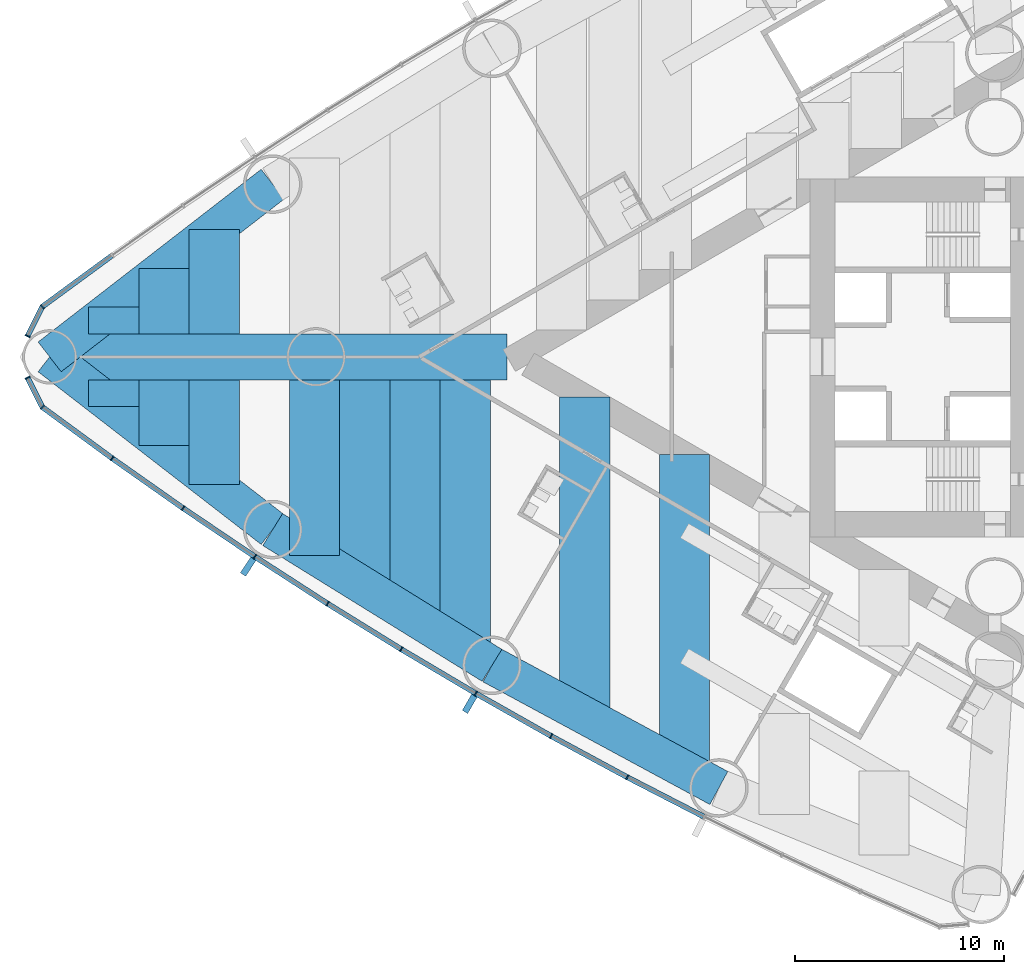
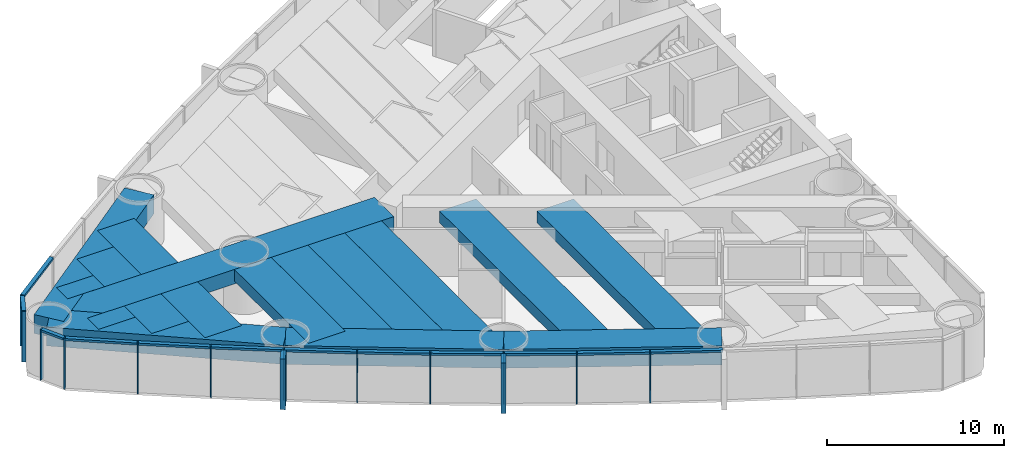
# One storey, part 2 of 18: 26 members, 17 beams, 2 elements without a shape of their own.
"""IFC4 building model written with IfcOpenShell, lengths in metres."""

import ifcopenshell
import ifcopenshell.guid

model = None  # the IFC model being written
_history = None  # IfcOwnerHistory: only IFC2X3 demands one
_inside = {}  # id of a spatial element -> (the spatial element, [elements in it])
_under = {}  # id of a project, library or spatial element -> (it, [spatial elements below it])
_declared = {}  # id of a project -> (the project, [libraries it declares])
_typed = {}  # id of a type object -> (the type object, [elements of that type])
_made_of = {}  # id of a material, layer set ... -> (it, [elements and type objects made of it])


def new_model(schema):
    """Start an empty IFC model of exactly this schema.

    Asked for "IFC4X3", IfcOpenShell would pick the latest addendum, in which some entities
    have other attributes; the version numbers below select the first issue.
    IFC2X3 requires an IfcOwnerHistory on every rooted entity: one is made here for all.
    """
    global model, _history
    if schema == "IFC4X3":
        model = ifcopenshell.file(schema_version=(4, 3, 0, 0))
    else:
        model = ifcopenshell.file(schema=schema)
    _inside.clear()
    _under.clear()
    _declared.clear()
    _typed.clear()
    _made_of.clear()
    _history = None
    if model.schema == "IFC2X3":
        org = make("IfcOrganization", Name="unknown")
        user = make(
            "IfcPersonAndOrganization",
            ThePerson=make("IfcPerson", FamilyName="unknown"),
            TheOrganization=org,
        )
        app = make(
            "IfcApplication",
            ApplicationDeveloper=org,
            Version="unknown",
            ApplicationFullName="unknown",
            ApplicationIdentifier="unknown",
        )
        _history = make(
            "IfcOwnerHistory",
            OwningUser=user,
            OwningApplication=app,
            ChangeAction="ADDED",
            CreationDate=0,
        )
    return model


def make(cls, **values):
    """One entity of the class cls with the attributes given. An attribute that is None is left unset."""
    return model.create_entity(
        cls, **{name: value for name, value in values.items() if value is not None}
    )


def rooted(cls, **values):
    """An entity with a GlobalId (a new one), such as an element, a storey or a relation."""
    return make(cls, GlobalId=ifcopenshell.guid.new(), OwnerHistory=_history, **values)


def si_unit(unit_type, name, prefix=None):
    """IfcSIUnit, for example si_unit("LENGTHUNIT", "METRE", prefix="MILLI")."""
    return make("IfcSIUnit", UnitType=unit_type, Prefix=prefix, Name=name)


def assignment(units):
    """IfcUnitAssignment: the units of a project."""
    return None if units is None else make("IfcUnitAssignment", Units=units)


def point(xyz):
    """IfcCartesianPoint."""
    return None if xyz is None else make("IfcCartesianPoint", Coordinates=xyz)


def direction(xyz):
    """IfcDirection."""
    return None if xyz is None else make("IfcDirection", DirectionRatios=xyz)


def frame(location, z_axis=None, x_axis=None):
    """IfcAxis2Placement3D, a coordinate frame: its origin and axes. An axis left out is left unset."""
    return make(
        "IfcAxis2Placement3D",
        Location=point(location),
        Axis=direction(z_axis),
        RefDirection=direction(x_axis),
    )


def frame_2d(location, x_axis=None):
    """IfcAxis2Placement2D, a coordinate frame in the plane: its origin and x axis."""
    return make(
        "IfcAxis2Placement2D", Location=point(location), RefDirection=direction(x_axis)
    )


def origin():
    """The frame at (0, 0, 0) with its axes left unset."""
    return frame((0.0, 0.0, 0.0))


def origin_2d():
    """The frame at (0, 0) in the plane with its x axis left unset."""
    return frame_2d((0.0, 0.0))


def place(relative_to, where):
    """IfcLocalPlacement: puts the frame where relative to a parent placement (None: the world)."""
    return make(
        "IfcLocalPlacement", PlacementRelTo=relative_to, RelativePlacement=where
    )


def context(
    kind, dimensions, precision=None, world=None, true_north=None, identifier=None
):
    """IfcGeometricRepresentationContext, for example the 3D "Model" context."""
    return make(
        "IfcGeometricRepresentationContext",
        ContextIdentifier=identifier,
        ContextType=kind,
        CoordinateSpaceDimension=dimensions,
        Precision=precision,
        WorldCoordinateSystem=world,
        TrueNorth=true_north,
    )


def subcontext(parent, identifier, kind, view, scale=None):
    """IfcGeometricRepresentationSubContext, for example "Body" below "Model"."""
    return make(
        "IfcGeometricRepresentationSubContext",
        ContextIdentifier=identifier,
        ContextType=kind,
        ParentContext=parent,
        TargetScale=scale,
        TargetView=view,
    )


def project(units=None, contexts=None):
    """IfcProject with its units and contexts."""
    return rooted(
        "IfcProject",
        Name="project",
        RepresentationContexts=contexts,
        UnitsInContext=assignment(units),
    )


def spatial(cls, under=None, at=None, **own):
    """A site, building, storey or space (cls), placed at a placement, below another one or the project."""
    s = rooted(cls, ObjectPlacement=at, **own)
    if under is not None:
        _under.setdefault(under.id(), (under, []))[1].append(s)
    return s


def profile(cls, at=None, kind="AREA", **sizes):
    """A parametric profile (cls). Its sizes go by their IFC names, for example OverallWidth=200.0."""
    return make(cls, ProfileType=kind, Position=at, **sizes)


def rectangle(**sizes):
    """IfcRectangleProfileDef."""
    return profile("IfcRectangleProfileDef", **sizes)


def extrude(swept, where, along, depth):
    """IfcExtrudedAreaSolid: the profile swept, set in the frame where, extruded along a direction by depth."""
    return make(
        "IfcExtrudedAreaSolid",
        SweptArea=swept,
        Position=where,
        ExtrudedDirection=direction(along),
        Depth=depth,
    )


def shape(context_of_items, identifier, shape_type, items):
    """IfcShapeRepresentation: the items that make up one representation, for example the "Body"."""
    return make(
        "IfcShapeRepresentation",
        ContextOfItems=context_of_items,
        RepresentationIdentifier=identifier,
        RepresentationType=shape_type,
        Items=items,
    )


def material(Name=None, Category=None):
    """IfcMaterial."""
    return make("IfcMaterial", Name=Name, Category=Category)


def material_profile(
    of_material, cross_section, Name=None, Category=None, Priority=None
):
    """IfcMaterialProfile: a cross section and its material."""
    return make(
        "IfcMaterialProfile",
        Name=Name,
        Material=of_material,
        Profile=cross_section,
        Priority=Priority,
        Category=Category,
    )


def profile_set(profiles, Name=None, composite=None):
    """IfcMaterialProfileSet."""
    return make(
        "IfcMaterialProfileSet",
        Name=Name,
        MaterialProfiles=profiles,
        CompositeProfile=composite,
    )


def made_of(thing, what):
    """Note that an element or type object is made of a material, layer set ...; save() writes the relation."""
    if what is not None:
        _made_of.setdefault(what.id(), (what, []))[1].append(thing)
    return thing


def type_object(cls, material=None, **own):
    """A type object (cls), such as IfcWallType, which elements share."""
    return made_of(rooted(cls, **own), material)


def element(
    cls,
    number,
    at=None,
    inside=None,
    cuts=None,
    type_object=None,
    material=None,
    context=None,
    identifier="Body",
    shape_type=None,
    held_by="IfcProductDefinitionShape",
    body=None,
    shapes=None,
    **own,
):
    """One element of the class cls, such as IfcWall. Its Tag is "e" and its number.

    at: its placement. inside: the storey or other place that contains it. cuts: it is an
    opening in that element (IfcRelVoidsElement). A single representation is given by context,
    identifier, shape_type and body (its items); several are given by shapes. held_by: the class
    of the entity that holds the representations. save() writes the other relations.
    """
    e = rooted(cls, Tag="e%d" % number, ObjectPlacement=at, **own)
    if body is not None:
        shapes = [shape(context, identifier, shape_type, body)]
    if shapes is not None:
        e.Representation = make(held_by, Representations=shapes)
    if inside is not None:
        _inside.setdefault(inside.id(), (inside, []))[1].append(e)
    if cuts is not None:
        rooted(
            "IfcRelVoidsElement", RelatingBuildingElement=cuts, RelatedOpeningElement=e
        )
    if type_object is not None:
        _typed.setdefault(type_object.id(), (type_object, []))[1].append(e)
    return made_of(e, material)


def aggregate(whole, parts):
    """IfcRelAggregates: a whole, such as a stair, and the parts it consists of."""
    return rooted("IfcRelAggregates", RelatingObject=whole, RelatedObjects=parts)


def save(model, path):
    """Write the relations noted so far, then the file.

    IfcRelAggregates (storeys below a building ...), IfcRelContainedInSpatialStructure (elements
    in a storey), IfcRelDefinesByType, IfcRelAssociatesMaterial and IfcRelDeclares: one each for
    every whole, place, type object, material and project.
    """
    for whole, parts in _under.values():
        aggregate(whole, parts)
    for where, things in _inside.values():
        rooted(
            "IfcRelContainedInSpatialStructure",
            RelatedElements=things,
            RelatingStructure=where,
        )
    for kind, things in _typed.values():
        rooted("IfcRelDefinesByType", RelatedObjects=things, RelatingType=kind)
    for what, things in _made_of.values():
        rooted("IfcRelAssociatesMaterial", RelatedObjects=things, RelatingMaterial=what)
    for by, libraries in _declared.values():
        rooted("IfcRelDeclares", RelatingContext=by, RelatedDefinitions=libraries)
    model.write(path)


model = new_model("IFC4")

# Units and contexts
model_context = context("Model", 3, precision=1e-05, world=origin(), true_north=direction((0.0, 1.0)))
body_context = subcontext(model_context, "Body", "Model", "MODEL_VIEW")
ifc_project = project(units=[si_unit("LENGTHUNIT", "METRE"), si_unit("AREAUNIT", "SQUARE_METRE"), si_unit("VOLUMEUNIT", "CUBIC_METRE"), si_unit("PLANEANGLEUNIT", "RADIAN"), si_unit("MASSUNIT", "GRAM", prefix="KILO")], contexts=[model_context])

# Site, building, storey
site_placement = place(None, origin())
site = spatial("IfcSite", under=ifc_project, at=site_placement, CompositionType="ELEMENT")
building_placement = place(site_placement, origin())
building = spatial("IfcBuilding", under=site, at=building_placement, Name="Lancet Gate Hotel", CompositionType="ELEMENT")
storey_placement = place(building_placement, frame((0.0, 0.0, 56.5)))
storey = spatial("IfcBuildingStorey", under=building, at=storey_placement, Name="L14", CompositionType="ELEMENT", Elevation=56.5)

# Curtain wall, members
ifc_material_1 = material(Name="Aluminium curtain wall", Category="aluminium")
curtain_wall_type = type_object("IfcCurtainWallType", Name="Tower unitised curtain wall", PredefinedType="USERDEFINED", material=ifc_material_1)
curtain_wall_1_placement = place(storey_placement, origin())
curtain_wall_1 = element("IfcCurtainWall", 1, at=curtain_wall_1_placement, inside=storey, type_object=curtain_wall_type, Name="T1 L14 curtain wall 2", ObjectType="UNITISED CURTAIN WALL", PredefinedType="USERDEFINED")
ifc_material_2 = material(Name="Aluminium mullion", Category="aluminium")
ifc_material_profile_1 = material_profile(ifc_material_2, rectangle(XDim=0.06494140625, YDim=0.25, at=origin_2d()), Name="MULLION 65x250")
ifc_profile_set_1 = profile_set([ifc_material_profile_1], Name="Aluminium mullion")
member_type_1 = type_object("IfcMemberType", Name="Aluminium mullion 65x250", PredefinedType="MULLION", material=ifc_profile_set_1)
member_1_placement = place(storey_placement, frame((-74.5830078125, 2.401611328125, 0.0), z_axis=(0.0, 0.0, 1.0), x_axis=(-0.723695580132, -0.690119342793, 0.0)))
member_1 = element("IfcMember", 2, at=member_1_placement, type_object=member_type_1, Name="T1 L14 curtain wall 2 mullion 14", PredefinedType="MULLION", context=body_context, shape_type="SweptSolid", body=[
    extrude(rectangle(XDim=0.06494140625, YDim=0.25, at=origin_2d()), origin(), (0.0, 0.0, 1.0), 3.5),
])
member_2_placement = place(storey_placement, frame((-75.287109375, 0.994873046875, 0.0), z_axis=(0.0, 0.0, 1.0), x_axis=(-0.447628324726, -0.89421970617, 0.0)))
member_2 = element("IfcMember", 3, at=member_2_placement, type_object=member_type_1, Name="T1 L14 curtain wall 2 mullion 15", PredefinedType="MULLION", context=body_context, shape_type="SweptSolid", body=[
    extrude(rectangle(XDim=0.06494140625, YDim=0.25, at=origin_2d()), origin(), (0.0, 0.0, 1.0), 3.5),
])

curtain_wall_2_placement = place(storey_placement, origin())
curtain_wall_2 = element("IfcCurtainWall", 4, at=curtain_wall_2_placement, inside=storey, type_object=curtain_wall_type, Name="T1 L14 curtain wall 3", ObjectType="UNITISED CURTAIN WALL", PredefinedType="USERDEFINED")
member_3_placement = place(storey_placement, frame((-75.287109375, -0.994873046875, 0.0), z_axis=(0.0, 0.0, 1.0), x_axis=(0.447628324726, -0.89421970617, 0.0)))
member_3 = element("IfcMember", 5, at=member_3_placement, type_object=member_type_1, Name="T1 L14 curtain wall 3 mullion 1", PredefinedType="MULLION", context=body_context, shape_type="SweptSolid", body=[
    extrude(rectangle(XDim=0.06494140625, YDim=0.25, at=origin_2d()), origin(), (0.0, 0.0, 1.0), 3.5),
])
member_4_placement = place(storey_placement, frame((-74.5830078125, -2.401611328125, 0.0), z_axis=(0.0, 0.0, 1.0), x_axis=(0.723695580132, -0.690119342793, 0.0)))
member_4 = element("IfcMember", 6, at=member_4_placement, type_object=member_type_1, Name="T1 L14 curtain wall 3 mullion 2", PredefinedType="MULLION", context=body_context, shape_type="SweptSolid", body=[
    extrude(rectangle(XDim=0.06494140625, YDim=0.25, at=origin_2d()), origin(), (0.0, 0.0, 1.0), 3.5),
])
member_5_placement = place(storey_placement, frame((-71.244384765625, -4.85009765625, 0.0), z_axis=(0.0, 0.0, 1.0), x_axis=(0.812146623168, -0.583453393578, 0.0)))
member_5 = element("IfcMember", 7, at=member_5_placement, type_object=member_type_1, Name="T1 L14 curtain wall 3 mullion 3", PredefinedType="MULLION", context=body_context, shape_type="SweptSolid", body=[
    extrude(rectangle(XDim=0.06494140625, YDim=0.25, at=origin_2d()), origin(), (0.0, 0.0, 1.0), 3.5),
])
member_6_placement = place(storey_placement, frame((-67.858154296875, -7.232666015625, 0.0), z_axis=(0.0, 0.0, 1.0), x_axis=(0.823425148573, -0.56742490666, 0.0)))
member_6 = element("IfcMember", 8, at=member_6_placement, type_object=member_type_1, Name="T1 L14 curtain wall 3 mullion 4", PredefinedType="MULLION", context=body_context, shape_type="SweptSolid", body=[
    extrude(rectangle(XDim=0.06494140625, YDim=0.25, at=origin_2d()), origin(), (0.0, 0.0, 1.0), 3.5),
])
member_7_placement = place(storey_placement, frame((-64.42626953125, -9.548583984375, 0.0), z_axis=(0.0, 0.0, 1.0), x_axis=(0.834387381945, -0.55117846189, 0.0)))
member_7 = element("IfcMember", 9, at=member_7_placement, type_object=member_type_1, Name="T1 L14 curtain wall 3 mullion 5", PredefinedType="MULLION", context=body_context, shape_type="SweptSolid", body=[
    extrude(rectangle(XDim=0.06494140625, YDim=0.25, at=origin_2d()), origin(), (0.0, 0.0, 1.0), 3.5),
])
member_8_placement = place(storey_placement, frame((-60.949462890625, -11.796630859375, 0.0), z_axis=(0.0, 0.0, 1.0), x_axis=(0.845029112489, -0.534720299827, 0.0)))
member_8 = element("IfcMember", 10, at=member_8_placement, type_object=member_type_1, Name="T1 L14 curtain wall 3 mullion 6", PredefinedType="MULLION", context=body_context, shape_type="SweptSolid", body=[
    extrude(rectangle(XDim=0.06494140625, YDim=0.25, at=origin_2d()), origin(), (0.0, 0.0, 1.0), 3.5),
])
member_9_placement = place(storey_placement, frame((-57.42919921875, -13.97607421875, 0.0), z_axis=(0.0, 0.0, 1.0), x_axis=(0.855346252548, -0.518056742309, 0.0)))
member_9 = element("IfcMember", 11, at=member_9_placement, type_object=member_type_1, Name="T1 L14 curtain wall 3 mullion 7", PredefinedType="MULLION", context=body_context, shape_type="SweptSolid", body=[
    extrude(rectangle(XDim=0.06494140625, YDim=0.25, at=origin_2d()), origin(), (0.0, 0.0, 1.0), 3.5),
])
member_10_placement = place(storey_placement, frame((-53.866943359375, -16.086181640625, 0.0), z_axis=(0.0, 0.0, 1.0), x_axis=(0.86533483912, -0.501194190115, 0.0)))
member_10 = element("IfcMember", 12, at=member_10_placement, type_object=member_type_1, Name="T1 L14 curtain wall 3 mullion 8", PredefinedType="MULLION", context=body_context, shape_type="SweptSolid", body=[
    extrude(rectangle(XDim=0.06494140625, YDim=0.25, at=origin_2d()), origin(), (0.0, 0.0, 1.0), 3.5),
])
member_11_placement = place(storey_placement, frame((-50.26416015625, -18.1259765625, 0.0), z_axis=(0.0, 0.0, 1.0), x_axis=(0.874991035403, -0.484139120464, 0.0)))
member_11 = element("IfcMember", 13, at=member_11_placement, type_object=member_type_1, Name="T1 L14 curtain wall 3 mullion 9", PredefinedType="MULLION", context=body_context, shape_type="SweptSolid", body=[
    extrude(rectangle(XDim=0.06494140625, YDim=0.25, at=origin_2d()), origin(), (0.0, 0.0, 1.0), 3.5),
])
member_12_placement = place(storey_placement, frame((-46.6220703125, -20.094970703125, 0.0), z_axis=(0.0, 0.0, 1.0), x_axis=(0.884311132302, -0.466898084475, 0.0)))
member_12 = element("IfcMember", 14, at=member_12_placement, type_object=member_type_1, Name="T1 L14 curtain wall 3 mullion 10", PredefinedType="MULLION", context=body_context, shape_type="SweptSolid", body=[
    extrude(rectangle(XDim=0.06494140625, YDim=0.25, at=origin_2d()), origin(), (0.0, 0.0, 1.0), 3.5),
])

# Member
ifc_material_3 = material(Name="Aluminium transom", Category="aluminium")
ifc_material_profile_2 = material_profile(ifc_material_3, rectangle(XDim=0.25, YDim=0.14990234375, at=origin_2d()), Name="TRANSOM 250x150")
ifc_profile_set_2 = profile_set([ifc_material_profile_2], Name="Aluminium transom")
member_type_2 = type_object("IfcMemberType", Name="Aluminium transom 250x150", PredefinedType="USERDEFINED", material=ifc_profile_set_2)
member_13_placement = place(storey_placement, frame((-71.2705078125, 4.8310546875, 3.425048828125), z_axis=(-0.806366902144, -0.59141560609, 0.0), x_axis=(0.59141560609, -0.806366902144, 0.0)))
member_13 = element("IfcMember", 15, at=member_13_placement, type_object=member_type_2, Name="T1 L14 curtain wall 2 transom 13", ObjectType="TRANSOM", PredefinedType="USERDEFINED", context=body_context, shape_type="SweptSolid", body=[
    extrude(rectangle(XDim=0.25, YDim=0.14990234375, at=origin_2d()), origin(), (0.0, 0.0, 1.0), 4.0751953125),
])

member_14_placement = place(storey_placement, frame((-74.597412109375, 2.37255859375, 3.425048828125), z_axis=(-0.447731503446, -0.894168049542, 0.0), x_axis=(0.894168049542, -0.447731503446, 0.0)))
member_14 = element("IfcMember", 16, at=member_14_placement, type_object=member_type_2, Name="T1 L14 curtain wall 2 transom 14", ObjectType="TRANSOM", PredefinedType="USERDEFINED", context=body_context, shape_type="SweptSolid", body=[
    extrude(rectangle(XDim=0.25, YDim=0.14990234375, at=origin_2d()), origin(), (0.0, 0.0, 1.0), 1.50830078125),
])

aggregate(curtain_wall_1, [member_1, member_2, member_13, member_14])

member_15_placement = place(storey_placement, frame((-75.272705078125, -1.02392578125, 3.425048828125), z_axis=(0.447731503446, -0.894168049542, 0.0), x_axis=(0.894168049542, 0.447731503446, 0.0)))
member_15 = element("IfcMember", 17, at=member_15_placement, type_object=member_type_2, Name="T1 L14 curtain wall 3 transom 1", ObjectType="TRANSOM", PredefinedType="USERDEFINED", context=body_context, shape_type="SweptSolid", body=[
    extrude(rectangle(XDim=0.25, YDim=0.14990234375, at=origin_2d()), origin(), (0.0, 0.0, 1.0), 1.50830078125),
])

member_16_placement = place(storey_placement, frame((-74.556640625, -2.4208984375, 3.425048828125), z_axis=(0.806366902144, -0.59141560609, 0.0), x_axis=(0.59141560609, 0.806366902144, 0.0)))
member_16 = element("IfcMember", 18, at=member_16_placement, type_object=member_type_2, Name="T1 L14 curtain wall 3 transom 2", ObjectType="TRANSOM", PredefinedType="USERDEFINED", context=body_context, shape_type="SweptSolid", body=[
    extrude(rectangle(XDim=0.25, YDim=0.14990234375, at=origin_2d()), origin(), (0.0, 0.0, 1.0), 4.0751953125),
])

member_17_placement = place(storey_placement, frame((-71.2177734375, -4.868896484375, 3.425048828125), z_axis=(0.817833568345, -0.57545482402, 0.0), x_axis=(0.57545482402, 0.817833568345, 0.0)))
member_17 = element("IfcMember", 19, at=member_17_placement, type_object=member_type_2, Name="T1 L14 curtain wall 3 transom 3", ObjectType="TRANSOM", PredefinedType="USERDEFINED", context=body_context, shape_type="SweptSolid", body=[
    extrude(rectangle(XDim=0.25, YDim=0.14990234375, at=origin_2d()), origin(), (0.0, 0.0, 1.0), 4.075439453125),
])

member_18_placement = place(storey_placement, frame((-67.831298828125, -7.2509765625, 3.425048828125), z_axis=(0.828959086782, -0.559309245804, 0.0), x_axis=(0.559309245804, 0.828959086782, 0.0)))
member_18 = element("IfcMember", 20, at=member_18_placement, type_object=member_type_2, Name="T1 L14 curtain wall 3 transom 4", ObjectType="TRANSOM", PredefinedType="USERDEFINED", context=body_context, shape_type="SweptSolid", body=[
    extrude(rectangle(XDim=0.25, YDim=0.14990234375, at=origin_2d()), origin(), (0.0, 0.0, 1.0), 4.0751953125),
])

member_19_placement = place(storey_placement, frame((-64.39892578125, -9.566162109375, 3.425048828125), z_axis=(0.839729242404, -0.543005340169, 0.0), x_axis=(0.543005340169, 0.839729242404, 0.0)))
member_19 = element("IfcMember", 21, at=member_19_placement, type_object=member_type_2, Name="T1 L14 curtain wall 3 transom 5", ObjectType="TRANSOM", PredefinedType="USERDEFINED", context=body_context, shape_type="SweptSolid", body=[
    extrude(rectangle(XDim=0.25, YDim=0.14990234375, at=origin_2d()), origin(), (0.0, 0.0, 1.0), 4.0751953125),
])

member_20_placement = place(storey_placement, frame((-60.921875, -11.813720703125, 3.425048828125), z_axis=(0.850242165643, -0.526391736032, 0.0), x_axis=(0.526391736032, 0.850242165643, 0.0)))
member_20 = element("IfcMember", 22, at=member_20_placement, type_object=member_type_2, Name="T1 L14 curtain wall 3 transom 6", ObjectType="TRANSOM", PredefinedType="USERDEFINED", context=body_context, shape_type="SweptSolid", body=[
    extrude(rectangle(XDim=0.25, YDim=0.14990234375, at=origin_2d()), origin(), (0.0, 0.0, 1.0), 4.075439453125),
])

member_21_placement = place(storey_placement, frame((-57.4013671875, -13.99267578125, 3.425048828125), z_axis=(0.86039174806, -0.509633240547, 0.0), x_axis=(0.509633240547, 0.86039174806, 0.0)))
member_21 = element("IfcMember", 23, at=member_21_placement, type_object=member_type_2, Name="T1 L14 curtain wall 3 transom 7", ObjectType="TRANSOM", PredefinedType="USERDEFINED", context=body_context, shape_type="SweptSolid", body=[
    extrude(rectangle(XDim=0.25, YDim=0.14990234375, at=origin_2d()), origin(), (0.0, 0.0, 1.0), 4.0751953125),
])

member_22_placement = place(storey_placement, frame((-53.838623046875, -16.102294921875, 3.425048828125), z_axis=(0.870197729943, -0.492702659625, 0.0), x_axis=(0.492702659625, 0.870197729943, 0.0)))
member_22 = element("IfcMember", 24, at=member_22_placement, type_object=member_type_2, Name="T1 L14 curtain wall 3 transom 8", ObjectType="TRANSOM", PredefinedType="USERDEFINED", context=body_context, shape_type="SweptSolid", body=[
    extrude(rectangle(XDim=0.25, YDim=0.14990234375, at=origin_2d()), origin(), (0.0, 0.0, 1.0), 4.0751953125),
])

member_23_placement = place(storey_placement, frame((-50.235595703125, -18.1416015625, 3.425048828125), z_axis=(0.87971396408, -0.475503250675, 0.0), x_axis=(0.475503250675, 0.87971396408, 0.0)))
member_23 = element("IfcMember", 25, at=member_23_placement, type_object=member_type_2, Name="T1 L14 curtain wall 3 transom 9", ObjectType="TRANSOM", PredefinedType="USERDEFINED", context=body_context, shape_type="SweptSolid", body=[
    extrude(rectangle(XDim=0.25, YDim=0.14990234375, at=origin_2d()), origin(), (0.0, 0.0, 1.0), 4.0751953125),
])

member_24_placement = place(storey_placement, frame((-46.593017578125, -20.10986328125, 3.425048828125), z_axis=(0.888859972399, -0.458178949175, 0.0), x_axis=(0.458178949175, 0.888859972399, 0.0)))
member_24 = element("IfcMember", 26, at=member_24_placement, type_object=member_type_2, Name="T1 L14 curtain wall 3 transom 10", ObjectType="TRANSOM", PredefinedType="USERDEFINED", context=body_context, shape_type="SweptSolid", body=[
    extrude(rectangle(XDim=0.25, YDim=0.14990234375, at=origin_2d()), origin(), (0.0, 0.0, 1.0), 4.0751953125),
])

# Beams
ifc_material_4 = material(Name="Concrete C50/60", Category="concrete")
ifc_material_profile_3 = material_profile(ifc_material_4, rectangle(XDim=1.800048828125, YDim=1.300048828125, at=origin_2d()), Name="RC 1800x1300")
ifc_profile_set_3 = profile_set([ifc_material_profile_3], Name="Concrete C50/60")
beam_type_1 = type_object("IfcBeamType", Name="Edge beam RC 1800x1300", PredefinedType="SPANDREL", material=ifc_profile_set_3)
for number, where, z_axis, x_axis, name in (
    (27, (-63.57177734375, 8.255126953125, 2.60009765625), (-0.790736428665, -0.612156761281, 0.0), (0.612156761281, -0.790736428665, 0.0), "T1 edge beam EB1 L14"),
    (28, (-74.235107421875, 0.0, 2.60009765625), (0.790736428665, -0.612156761281, 0.0), (0.612156761281, 0.790736428665, 0.0), "T1 edge beam EB1 L14"),
):
    element("IfcBeam", number, at=place(storey_placement, frame(where, z_axis=z_axis, x_axis=x_axis)), inside=storey, type_object=beam_type_1, Name=name, PredefinedType="SPANDREL", context=body_context, shape_type="SweptSolid", body=[
        extrude(rectangle(XDim=1.800048828125, YDim=1.300048828125, at=origin_2d()), origin(), (0.0, 0.0, 1.0), 13.4853515625),
    ])
for number, where, z_axis, x_axis, name in (
    (29, (-63.57177734375, -8.255126953125, 2.60009765625), (0.850225894333, -0.526418016984, 0.0), (0.526418016984, 0.850225894333, 0.0), "T1 edge beam EB1 L14"),
    (30, (-53.090087890625, -14.744873046875, 2.60009765625), (0.879692855603, -0.475542300749, 0.0), (0.475542300749, 0.879692855603, 0.0), "T1 edge beam EB1 L14"),
):
    element("IfcBeam", number, at=place(storey_placement, frame(where, z_axis=z_axis, x_axis=x_axis)), inside=storey, type_object=beam_type_1, Name=name, PredefinedType="SPANDREL", context=body_context, shape_type="SweptSolid", body=[
        extrude(rectangle(XDim=1.800048828125, YDim=1.300048828125, at=origin_2d()), origin(), (0.0, 0.0, 1.0), 12.328125),
    ])

# Member
ifc_material_5 = material(Name="Precast concrete C50/60", Category="concrete")
ifc_material_profile_4 = material_profile(ifc_material_5, rectangle(XDim=0.300048828125, YDim=0.89990234375, at=origin_2d()), Name="FIN 300x900")
ifc_profile_set_4 = profile_set([ifc_material_profile_4], Name="Precast concrete C50/60")
member_type_3 = type_object("IfcMemberType", Name="Exposed concrete fin 300x900", PredefinedType="USERDEFINED", material=ifc_profile_set_4)
member_25_placement = place(storey_placement, frame((-64.7431640625, -10.0283203125, 0.0), z_axis=(0.0, 0.0, 1.0), x_axis=(0.834387381945, -0.55117846189, 0.0)))
member_25 = element("IfcMember", 31, at=member_25_placement, type_object=member_type_3, Name="T1 L14 curtain wall 3 fin 5", ObjectType="FIN", PredefinedType="USERDEFINED", context=body_context, shape_type="SweptSolid", body=[
    extrude(rectangle(XDim=0.300048828125, YDim=0.89990234375, at=origin_2d()), origin(), (0.0, 0.0, 1.0), 3.5),
])

member_26_placement = place(storey_placement, frame((-54.1552734375, -16.583740234375, 0.0), z_axis=(0.0, 0.0, 1.0), x_axis=(0.86533483912, -0.501194190115, 0.0)))
member_26 = element("IfcMember", 32, at=member_26_placement, type_object=member_type_3, Name="T1 L14 curtain wall 3 fin 8", ObjectType="FIN", PredefinedType="USERDEFINED", context=body_context, shape_type="SweptSolid", body=[
    extrude(rectangle(XDim=0.300048828125, YDim=0.89990234375, at=origin_2d()), origin(), (0.0, 0.0, 1.0), 3.5),
])

aggregate(curtain_wall_2, [member_3, member_4, member_5, member_6, member_7, member_25, member_8, member_9, member_10, member_26, member_11, member_12, member_15, member_16, member_17, member_18, member_19, member_20, member_21, member_22, member_23, member_24])

# Beams
ifc_material_6 = material(Name="Concrete C50/60", Category="concrete")
ifc_material_profile_5 = material_profile(ifc_material_6, rectangle(XDim=2.39990234375, YDim=0.800048828125, at=origin_2d()), Name="RC 2400x800")
ifc_profile_set_5 = profile_set([ifc_material_profile_5], Name="Concrete C50/60")
beam_type_2 = type_object("IfcBeamType", Name="Floor beam RC 2400x800", PredefinedType="BEAM", material=ifc_profile_set_5)
beam_1_placement = place(storey_placement, frame((-43.891357421875, -4.663330078125, 2.85009765625), z_axis=(0.0, -1.0, 0.0), x_axis=(1.0, 0.0, 0.0)))
element("IfcBeam", 33, at=beam_1_placement, inside=storey, type_object=beam_type_2, Name="T1 floor beam F08N L14", PredefinedType="BEAM", context=body_context, shape_type="SweptSolid", body=[
    extrude(rectangle(XDim=2.39990234375, YDim=0.800048828125, at=origin_2d()), origin(), (0.0, 0.0, 1.0), 15.05419921875),
])
beam_2_placement = place(storey_placement, frame((-48.66015625, -1.909912109375, 2.85009765625), z_axis=(0.0, -1.0, 0.0), x_axis=(1.0, 0.0, 0.0)))
element("IfcBeam", 34, at=beam_2_placement, inside=storey, type_object=beam_type_2, Name="T1 floor beam F11N L14", PredefinedType="BEAM", context=body_context, shape_type="SweptSolid", body=[
    extrude(rectangle(XDim=2.39990234375, YDim=0.800048828125, at=origin_2d()), origin(), (0.0, 0.0, 1.0), 15.229736328125),
])
beam_3_placement = place(storey_placement, frame((-54.3681640625, -1.10009765625, 2.85009765625), z_axis=(0.0, -1.0, 0.0), x_axis=(1.0, 0.0, 0.0)))
element("IfcBeam", 35, at=beam_3_placement, inside=storey, type_object=beam_type_2, Name="T1 floor beam F14N L14", PredefinedType="BEAM", context=body_context, shape_type="SweptSolid", body=[
    extrude(rectangle(XDim=2.39990234375, YDim=0.800048828125, at=origin_2d()), origin(), (0.0, 0.0, 1.0), 12.853515625),
])
beam_4_placement = place(storey_placement, frame((-56.768310546875, -1.10009765625, 2.85009765625), z_axis=(0.0, -1.0, 0.0), x_axis=(1.0, 0.0, 0.0)))
element("IfcBeam", 36, at=beam_4_placement, inside=storey, type_object=beam_type_2, Name="T1 floor beam F16N L14", PredefinedType="BEAM", context=body_context, shape_type="SweptSolid", body=[
    extrude(rectangle(XDim=2.39990234375, YDim=0.800048828125, at=origin_2d()), origin(), (0.0, 0.0, 1.0), 11.367431640625),
])
beam_5_placement = place(storey_placement, frame((-59.168212890625, -1.10009765625, 2.85009765625), z_axis=(0.0, -1.0, 0.0), x_axis=(1.0, 0.0, 0.0)))
element("IfcBeam", 37, at=beam_5_placement, inside=storey, type_object=beam_type_2, Name="T1 floor beam F18N L14", PredefinedType="BEAM", context=body_context, shape_type="SweptSolid", body=[
    extrude(rectangle(XDim=2.39990234375, YDim=0.800048828125, at=origin_2d()), origin(), (0.0, 0.0, 1.0), 9.881591796875),
])
beam_6_placement = place(storey_placement, frame((-61.568359375, -1.10009765625, 2.85009765625), z_axis=(0.0, -1.0, 0.0), x_axis=(1.0, 0.0, 0.0)))
element("IfcBeam", 38, at=beam_6_placement, inside=storey, type_object=beam_type_2, Name="T1 floor beam F20N L14", PredefinedType="BEAM", context=body_context, shape_type="SweptSolid", body=[
    extrude(rectangle(XDim=2.39990234375, YDim=0.800048828125, at=origin_2d()), origin(), (0.0, 0.0, 1.0), 8.395751953125),
])
for number, where, z_axis, x_axis, name in (
    (39, (-66.3681640625, 6.09033203125, 2.85009765625), (0.0, -1.0, 0.0), (1.0, 0.0, 0.0), "T1 floor beam F21S L14"),
    (40, (-66.3681640625, -1.10009765625, 2.85009765625), (0.0, -1.0, 0.0), (1.0, 0.0, 0.0), "T1 floor beam F22N L14"),
):
    element("IfcBeam", number, at=place(storey_placement, frame(where, z_axis=z_axis, x_axis=x_axis)), inside=storey, type_object=beam_type_2, Name=name, PredefinedType="BEAM", context=body_context, shape_type="SweptSolid", body=[
        extrude(rectangle(XDim=2.39990234375, YDim=0.800048828125, at=origin_2d()), origin(), (0.0, 0.0, 1.0), 4.990234375),
    ])
for number, where, z_axis, x_axis, name in (
    (41, (-68.768310546875, 4.232421875, 2.85009765625), (0.0, -1.0, 0.0), (1.0, 0.0, 0.0), "T1 floor beam F23S L14"),
    (42, (-68.768310546875, -1.10009765625, 2.85009765625), (0.0, -1.0, 0.0), (1.0, 0.0, 0.0), "T1 floor beam F24N L14"),
):
    element("IfcBeam", number, at=place(storey_placement, frame(where, z_axis=z_axis, x_axis=x_axis)), inside=storey, type_object=beam_type_2, Name=name, PredefinedType="BEAM", context=body_context, shape_type="SweptSolid", body=[
        extrude(rectangle(XDim=2.39990234375, YDim=0.800048828125, at=origin_2d()), origin(), (0.0, 0.0, 1.0), 3.13232421875),
    ])
for number, where, z_axis, x_axis, name in (
    (43, (-71.168212890625, 2.374267578125, 2.85009765625), (0.0, -1.0, 0.0), (1.0, 0.0, 0.0), "T1 floor beam F25S L14"),
    (44, (-71.168212890625, -1.10009765625, 2.85009765625), (0.0, -1.0, 0.0), (1.0, 0.0, 0.0), "T1 floor beam F26N L14"),
):
    element("IfcBeam", number, at=place(storey_placement, frame(where, z_axis=z_axis, x_axis=x_axis)), inside=storey, type_object=beam_type_2, Name=name, PredefinedType="BEAM", context=body_context, shape_type="SweptSolid", body=[
        extrude(rectangle(XDim=2.39990234375, YDim=0.800048828125, at=origin_2d()), origin(), (0.0, 0.0, 1.0), 1.274169921875),
    ])
ifc_material_7 = material(Name="Concrete C50/60", Category="concrete")
ifc_material_profile_6 = material_profile(ifc_material_7, rectangle(XDim=2.199951171875, YDim=1.0, at=origin_2d()), Name="RC 2200x1000")
ifc_profile_set_6 = profile_set([ifc_material_profile_6], Name="Concrete C50/60")
beam_type_3 = type_object("IfcBeamType", Name="Radial floor beam RC 2200x1000", PredefinedType="BEAM", material=ifc_profile_set_6)
beam_7_placement = place(storey_placement, frame((-74.235107421875, 0.0, 2.75), z_axis=(1.0, 0.0, 0.0), x_axis=(0.0, 1.0, 0.0)))
element("IfcBeam", 45, at=beam_7_placement, inside=storey, type_object=beam_type_3, Name="T1 radial beam CA L14", PredefinedType="BEAM", context=body_context, shape_type="SweptSolid", body=[
    extrude(rectangle(XDim=2.199951171875, YDim=1.0, at=origin_2d()), origin(), (0.0, 0.0, 1.0), 21.866943359375),
])

save(model, "model.ifc")
